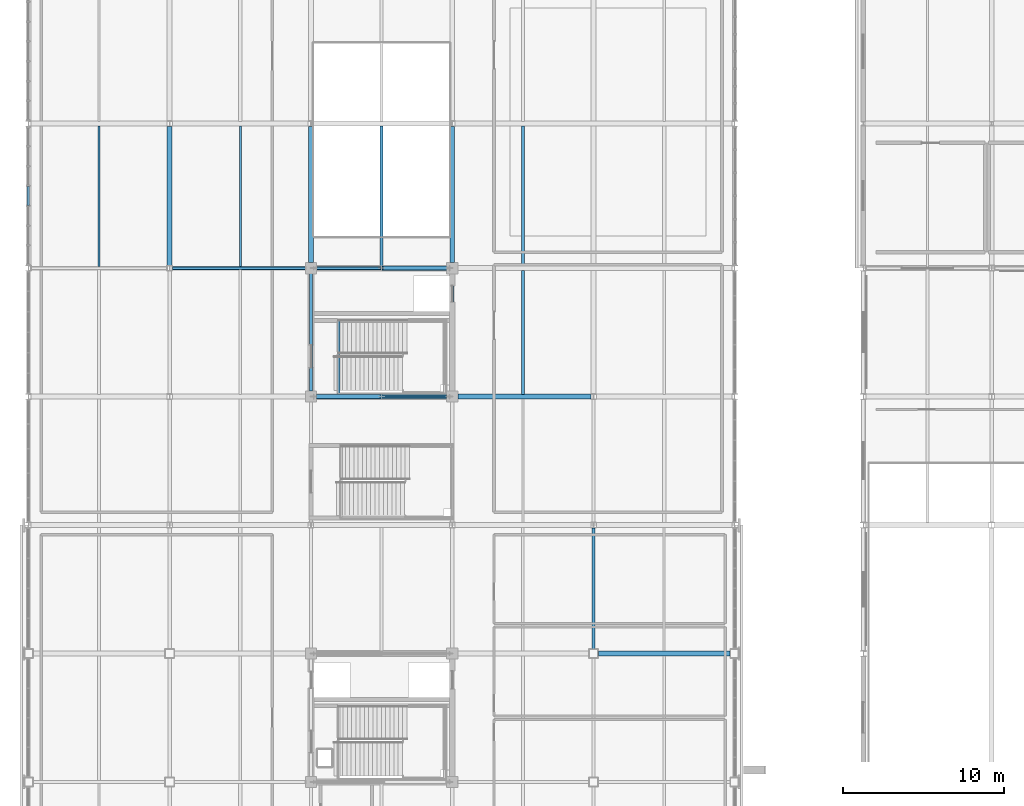
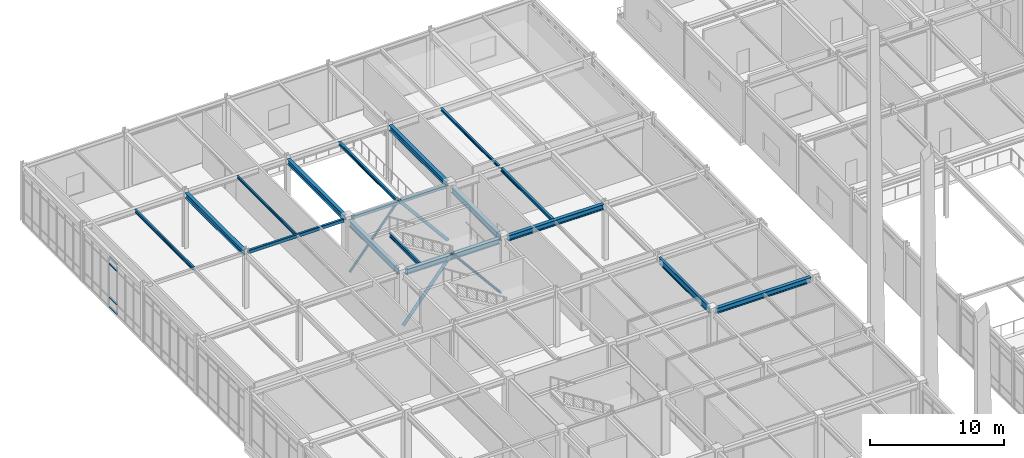
# One storey, part 64 of 184: 17 beams, 8 members, 1 element without a shape of its own.
"""IFC4 building model written with IfcOpenShell, lengths in metres."""

import ifcopenshell
import ifcopenshell.guid

model = None  # the IFC model being written
_history = None  # IfcOwnerHistory: only IFC2X3 demands one
_inside = {}  # id of a spatial element -> (the spatial element, [elements in it])
_under = {}  # id of a project, library or spatial element -> (it, [spatial elements below it])
_declared = {}  # id of a project -> (the project, [libraries it declares])
_typed = {}  # id of a type object -> (the type object, [elements of that type])
_made_of = {}  # id of a material, layer set ... -> (it, [elements and type objects made of it])


def new_model(schema):
    """Start an empty IFC model of exactly this schema.

    Asked for "IFC4X3", IfcOpenShell would pick the latest addendum, in which some entities
    have other attributes; the version numbers below select the first issue.
    IFC2X3 requires an IfcOwnerHistory on every rooted entity: one is made here for all.
    """
    global model, _history
    if schema == "IFC4X3":
        model = ifcopenshell.file(schema_version=(4, 3, 0, 0))
    else:
        model = ifcopenshell.file(schema=schema)
    _inside.clear()
    _under.clear()
    _declared.clear()
    _typed.clear()
    _made_of.clear()
    _history = None
    if model.schema == "IFC2X3":
        org = make("IfcOrganization", Name="unknown")
        user = make(
            "IfcPersonAndOrganization",
            ThePerson=make("IfcPerson", FamilyName="unknown"),
            TheOrganization=org,
        )
        app = make(
            "IfcApplication",
            ApplicationDeveloper=org,
            Version="unknown",
            ApplicationFullName="unknown",
            ApplicationIdentifier="unknown",
        )
        _history = make(
            "IfcOwnerHistory",
            OwningUser=user,
            OwningApplication=app,
            ChangeAction="ADDED",
            CreationDate=0,
        )
    return model


def make(cls, **values):
    """One entity of the class cls with the attributes given. An attribute that is None is left unset."""
    return model.create_entity(
        cls, **{name: value for name, value in values.items() if value is not None}
    )


def rooted(cls, **values):
    """An entity with a GlobalId (a new one), such as an element, a storey or a relation."""
    return make(cls, GlobalId=ifcopenshell.guid.new(), OwnerHistory=_history, **values)


def si_unit(unit_type, name, prefix=None):
    """IfcSIUnit, for example si_unit("LENGTHUNIT", "METRE", prefix="MILLI")."""
    return make("IfcSIUnit", UnitType=unit_type, Prefix=prefix, Name=name)


def assignment(units):
    """IfcUnitAssignment: the units of a project."""
    return None if units is None else make("IfcUnitAssignment", Units=units)


def point(xyz):
    """IfcCartesianPoint."""
    return None if xyz is None else make("IfcCartesianPoint", Coordinates=xyz)


def direction(xyz):
    """IfcDirection."""
    return None if xyz is None else make("IfcDirection", DirectionRatios=xyz)


def frame(location, z_axis=None, x_axis=None):
    """IfcAxis2Placement3D, a coordinate frame: its origin and axes. An axis left out is left unset."""
    return make(
        "IfcAxis2Placement3D",
        Location=point(location),
        Axis=direction(z_axis),
        RefDirection=direction(x_axis),
    )


def frame_2d(location, x_axis=None):
    """IfcAxis2Placement2D, a coordinate frame in the plane: its origin and x axis."""
    return make(
        "IfcAxis2Placement2D", Location=point(location), RefDirection=direction(x_axis)
    )


def origin():
    """The frame at (0, 0, 0) with its axes left unset."""
    return frame((0.0, 0.0, 0.0))


def origin_2d():
    """The frame at (0, 0) in the plane with its x axis left unset."""
    return frame_2d((0.0, 0.0))


def place(relative_to, where):
    """IfcLocalPlacement: puts the frame where relative to a parent placement (None: the world)."""
    return make(
        "IfcLocalPlacement", PlacementRelTo=relative_to, RelativePlacement=where
    )


def context(
    kind, dimensions, precision=None, world=None, true_north=None, identifier=None
):
    """IfcGeometricRepresentationContext, for example the 3D "Model" context."""
    return make(
        "IfcGeometricRepresentationContext",
        ContextIdentifier=identifier,
        ContextType=kind,
        CoordinateSpaceDimension=dimensions,
        Precision=precision,
        WorldCoordinateSystem=world,
        TrueNorth=true_north,
    )


def subcontext(parent, identifier, kind, view, scale=None):
    """IfcGeometricRepresentationSubContext, for example "Body" below "Model"."""
    return make(
        "IfcGeometricRepresentationSubContext",
        ContextIdentifier=identifier,
        ContextType=kind,
        ParentContext=parent,
        TargetScale=scale,
        TargetView=view,
    )


def project(units=None, contexts=None):
    """IfcProject with its units and contexts."""
    return rooted(
        "IfcProject",
        Name="project",
        RepresentationContexts=contexts,
        UnitsInContext=assignment(units),
    )


def spatial(cls, under=None, at=None, **own):
    """A site, building, storey or space (cls), placed at a placement, below another one or the project."""
    s = rooted(cls, ObjectPlacement=at, **own)
    if under is not None:
        _under.setdefault(under.id(), (under, []))[1].append(s)
    return s


def profile(cls, at=None, kind="AREA", **sizes):
    """A parametric profile (cls). Its sizes go by their IFC names, for example OverallWidth=200.0."""
    return make(cls, ProfileType=kind, Position=at, **sizes)


def rectangle(**sizes):
    """IfcRectangleProfileDef."""
    return profile("IfcRectangleProfileDef", **sizes)


def hollow_rectangle(**sizes):
    """IfcRectangleHollowProfileDef."""
    return profile("IfcRectangleHollowProfileDef", **sizes)


def hollow_circle(**sizes):
    """IfcCircleHollowProfileDef."""
    return profile("IfcCircleHollowProfileDef", **sizes)


def i_section(**sizes):
    """IfcIShapeProfileDef."""
    return profile("IfcIShapeProfileDef", **sizes)


def extrude(swept, where, along, depth):
    """IfcExtrudedAreaSolid: the profile swept, set in the frame where, extruded along a direction by depth."""
    return make(
        "IfcExtrudedAreaSolid",
        SweptArea=swept,
        Position=where,
        ExtrudedDirection=direction(along),
        Depth=depth,
    )


def shape(context_of_items, identifier, shape_type, items):
    """IfcShapeRepresentation: the items that make up one representation, for example the "Body"."""
    return make(
        "IfcShapeRepresentation",
        ContextOfItems=context_of_items,
        RepresentationIdentifier=identifier,
        RepresentationType=shape_type,
        Items=items,
    )


def material(Name=None, Category=None):
    """IfcMaterial."""
    return make("IfcMaterial", Name=Name, Category=Category)


def material_profile(
    of_material, cross_section, Name=None, Category=None, Priority=None
):
    """IfcMaterialProfile: a cross section and its material."""
    return make(
        "IfcMaterialProfile",
        Name=Name,
        Material=of_material,
        Profile=cross_section,
        Priority=Priority,
        Category=Category,
    )


def profile_set(profiles, Name=None, composite=None):
    """IfcMaterialProfileSet."""
    return make(
        "IfcMaterialProfileSet",
        Name=Name,
        MaterialProfiles=profiles,
        CompositeProfile=composite,
    )


def made_of(thing, what):
    """Note that an element or type object is made of a material, layer set ...; save() writes the relation."""
    if what is not None:
        _made_of.setdefault(what.id(), (what, []))[1].append(thing)
    return thing


def type_object(cls, material=None, **own):
    """A type object (cls), such as IfcWallType, which elements share."""
    return made_of(rooted(cls, **own), material)


def element(
    cls,
    number,
    at=None,
    inside=None,
    cuts=None,
    type_object=None,
    material=None,
    context=None,
    identifier="Body",
    shape_type=None,
    held_by="IfcProductDefinitionShape",
    body=None,
    shapes=None,
    **own,
):
    """One element of the class cls, such as IfcWall. Its Tag is "e" and its number.

    at: its placement. inside: the storey or other place that contains it. cuts: it is an
    opening in that element (IfcRelVoidsElement). A single representation is given by context,
    identifier, shape_type and body (its items); several are given by shapes. held_by: the class
    of the entity that holds the representations. save() writes the other relations.
    """
    e = rooted(cls, Tag="e%d" % number, ObjectPlacement=at, **own)
    if body is not None:
        shapes = [shape(context, identifier, shape_type, body)]
    if shapes is not None:
        e.Representation = make(held_by, Representations=shapes)
    if inside is not None:
        _inside.setdefault(inside.id(), (inside, []))[1].append(e)
    if cuts is not None:
        rooted(
            "IfcRelVoidsElement", RelatingBuildingElement=cuts, RelatedOpeningElement=e
        )
    if type_object is not None:
        _typed.setdefault(type_object.id(), (type_object, []))[1].append(e)
    return made_of(e, material)


def aggregate(whole, parts):
    """IfcRelAggregates: a whole, such as a stair, and the parts it consists of."""
    return rooted("IfcRelAggregates", RelatingObject=whole, RelatedObjects=parts)


def save(model, path):
    """Write the relations noted so far, then the file.

    IfcRelAggregates (storeys below a building ...), IfcRelContainedInSpatialStructure (elements
    in a storey), IfcRelDefinesByType, IfcRelAssociatesMaterial and IfcRelDeclares: one each for
    every whole, place, type object, material and project.
    """
    for whole, parts in _under.values():
        aggregate(whole, parts)
    for where, things in _inside.values():
        rooted(
            "IfcRelContainedInSpatialStructure",
            RelatedElements=things,
            RelatingStructure=where,
        )
    for kind, things in _typed.values():
        rooted("IfcRelDefinesByType", RelatedObjects=things, RelatingType=kind)
    for what, things in _made_of.values():
        rooted("IfcRelAssociatesMaterial", RelatedObjects=things, RelatingMaterial=what)
    for by, libraries in _declared.values():
        rooted("IfcRelDeclares", RelatingContext=by, RelatedDefinitions=libraries)
    model.write(path)


model = new_model("IFC4")

# Units and contexts
model_context = context("Model", 3, precision=1e-05, world=origin(), true_north=direction((0.0, 1.0)))
body_context = subcontext(model_context, "Body", "Model", "MODEL_VIEW")
ifc_project = project(units=[si_unit("LENGTHUNIT", "METRE"), si_unit("AREAUNIT", "SQUARE_METRE"), si_unit("VOLUMEUNIT", "CUBIC_METRE"), si_unit("PLANEANGLEUNIT", "RADIAN"), si_unit("MASSUNIT", "GRAM", prefix="KILO")], contexts=[model_context])

# Site, building, storey
site_placement = place(None, origin())
site = spatial("IfcSite", under=ifc_project, at=site_placement, CompositionType="ELEMENT")
building_placement = place(site_placement, origin())
building = spatial("IfcBuilding", under=site, at=building_placement, Name="Zhaolan Boulevard Law Courts", CompositionType="ELEMENT")
storey_placement = place(building_placement, frame((0.0, 0.0, 5.39990234375)))
storey = spatial("IfcBuildingStorey", under=building, at=storey_placement, Name="L01", CompositionType="ELEMENT", Elevation=5.39990234375)

# Members
ifc_material_1 = material(Name="Structural steel Q355B", Category="steel")
ifc_material_profile_1 = material_profile(ifc_material_1, hollow_circle(Radius=0.109619140625, WallThickness=0.008056640625, at=origin_2d()), Name="CHS219x8")
ifc_profile_set_1 = profile_set([ifc_material_profile_1], Name="Structural steel Q355B")
member_type_1 = type_object("IfcMemberType", Name="BRACE CHS219", PredefinedType="BRACE", material=ifc_profile_set_1)
member_1_placement = place(storey_placement, frame((26.219970703125, 86.0, 0.030029296875), z_axis=(-0.638239277889, 0.0, 0.769838050605), x_axis=(0.0, -1.0, 0.0)))
element("IfcMember", 1, at=member_1_placement, inside=storey, type_object=member_type_1, Name="Core Brace BR-L1-L01-S2", PredefinedType="BRACE", context=body_context, shape_type="SweptSolid", body=[
    extrude(hollow_circle(Radius=0.109619140625, WallThickness=0.008056640625, at=origin_2d()), origin(), (0.0, 0.0, 1.0), 6.61181640625),
])
ifc_material_2 = material(Name="Structural steel Q355B", Category="steel")
ifc_material_profile_2 = material_profile(ifc_material_2, hollow_circle(Radius=0.136474609375, WallThickness=0.010009765625, at=origin_2d()), Name="CHS273x10")
ifc_profile_set_2 = profile_set([ifc_material_profile_2], Name="Structural steel Q355B")
member_type_2 = type_object("IfcMemberType", Name="BRACE CHS273", PredefinedType="BRACE", material=ifc_profile_set_2)
for number, where, z_axis, x_axis, name in (
    (2, (26.219970703125, 94.0, 0.030029296875), (-0.638239277889, 0.0, 0.769838050605), (0.0, -1.0, 0.0), "Core Brace BR-L1-L01-N2"),
    (3, (17.780029296875, 86.0, 0.030029296875), (0.638239277889, 0.0, 0.769838050605), (0.0, 1.0, 0.0), "Core Brace BR-L1-L01-S1"),
):
    element("IfcMember", number, at=place(storey_placement, frame(where, z_axis=z_axis, x_axis=x_axis)), inside=storey, type_object=member_type_2, Name=name, PredefinedType="BRACE", context=body_context, shape_type="SweptSolid", body=[
        extrude(hollow_circle(Radius=0.136474609375, WallThickness=0.010009765625, at=origin_2d()), origin(), (0.0, 0.0, 1.0), 6.61181640625),
    ])
ifc_material_3 = material(Name="Structural steel Q355B", Category="steel")
ifc_material_profile_3 = material_profile(ifc_material_3, hollow_rectangle(XDim=0.159912109375, YDim=0.159912109375, WallThickness=0.008056640625, InnerFilletRadius=0.008056640625, OuterFilletRadius=0.01611328125, at=origin_2d()), Name="HSS160x160x8")
ifc_profile_set_3 = profile_set([ifc_material_profile_3], Name="Structural steel Q355B")
member_type_3 = type_object("IfcMemberType", Name="BRACE HSS160", PredefinedType="BRACE", material=ifc_profile_set_3)
member_2_placement = place(storey_placement, frame((17.780029296875, 94.0, 0.030029296875), z_axis=(0.638239277889, 0.0, 0.769838050605), x_axis=(0.0, 1.0, 0.0)))
element("IfcMember", 4, at=member_2_placement, inside=storey, type_object=member_type_3, Name="Core Brace BR-L1-L01-N1", PredefinedType="BRACE", context=body_context, shape_type="SweptSolid", body=[
    extrude(hollow_rectangle(XDim=0.159912109375, YDim=0.159912109375, WallThickness=0.008056640625, InnerFilletRadius=0.008056640625, OuterFilletRadius=0.01611328125, at=origin_2d()), origin(), (0.0, 0.0, 1.0), 6.61181640625),
])

# Curtain wall, members
ifc_material_4 = material(Name="Thermally broken aluminium and low-E glazing", Category="aluminium")
curtain_wall_type = type_object("IfcCurtainWallType", Name="CURTAIN WALL M13", PredefinedType="USERDEFINED", material=ifc_material_4)
curtain_wall_placement = place(storey_placement, origin())
curtain_wall = element("IfcCurtainWall", 5, at=curtain_wall_placement, inside=storey, type_object=curtain_wall_type, Name="Curtain Wall CW-L01-109", ObjectType="CURTAIN WALL", PredefinedType="USERDEFINED")
ifc_material_5 = material(Name="Fluorocarbon-coated aluminium 6063-T6", Category="aluminium")
ifc_material_profile_4 = material_profile(ifc_material_5, rectangle(XDim=0.139892578125, YDim=0.06494140625, at=origin_2d()), Name="AL65x140")
ifc_profile_set_4 = profile_set([ifc_material_profile_4], Name="Fluorocarbon-coated aluminium 6063-T6")
member_type_4 = type_object("IfcMemberType", Name="CWTRANSOM 65X140", PredefinedType="USERDEFINED", material=ifc_profile_set_4)
member_3_placement = place(storey_placement, frame((0.0, 99.0849609375, 0.03271484375), z_axis=(0.0, -1.0, 0.0), x_axis=(1.0, 0.0, 0.0)))
member_3 = element("IfcMember", 6, at=member_3_placement, type_object=member_type_4, Name="CW-L01-109 transom 4.1", ObjectType="TRANSOM", PredefinedType="USERDEFINED", context=body_context, shape_type="SweptSolid", body=[
    extrude(rectangle(XDim=0.139892578125, YDim=0.06494140625, at=origin_2d()), origin(), (0.0, 0.0, 1.0), 1.169921875),
])
member_4_placement = place(storey_placement, frame((0.0, 99.0849609375, 0.900146484375), z_axis=(0.0, -1.0, 0.0), x_axis=(1.0, 0.0, 0.0)))
member_4 = element("IfcMember", 7, at=member_4_placement, type_object=member_type_4, Name="CW-L01-109 transom 4.2", ObjectType="TRANSOM", PredefinedType="USERDEFINED", context=body_context, shape_type="SweptSolid", body=[
    extrude(rectangle(XDim=0.139892578125, YDim=0.06494140625, at=origin_2d()), origin(), (0.0, 0.0, 1.0), 1.169921875),
])
member_5_placement = place(storey_placement, frame((0.0, 99.0849609375, 3.97119140625), z_axis=(0.0, -1.0, 0.0), x_axis=(1.0, 0.0, 0.0)))
member_5 = element("IfcMember", 8, at=member_5_placement, type_object=member_type_4, Name="CW-L01-109 transom 4.3", ObjectType="TRANSOM", PredefinedType="USERDEFINED", context=body_context, shape_type="SweptSolid", body=[
    extrude(rectangle(XDim=0.139892578125, YDim=0.06494140625, at=origin_2d()), origin(), (0.0, 0.0, 1.0), 1.169921875),
])
member_6_placement = place(storey_placement, frame((0.0, 99.0849609375, 4.588623046875), z_axis=(0.0, -1.0, 0.0), x_axis=(1.0, 0.0, 0.0)))
member_6 = element("IfcMember", 9, at=member_6_placement, type_object=member_type_4, Name="CW-L01-109 transom 4.4", ObjectType="TRANSOM", PredefinedType="USERDEFINED", context=body_context, shape_type="SweptSolid", body=[
    extrude(rectangle(XDim=0.139892578125, YDim=0.06494140625, at=origin_2d()), origin(), (0.0, 0.0, 1.0), 1.169921875),
])
aggregate(curtain_wall, [member_3, member_4, member_5, member_6])

# Beams
ifc_material_6 = material(Name="Structural steel Q355B", Category="steel")
ifc_material_profile_5 = material_profile(ifc_material_6, i_section(OverallWidth=0.300048828125, OverallDepth=0.48193359375, WebThickness=0.010986328125, FlangeThickness=0.014892578125, FilletRadius=0.02197265625, at=origin_2d()), Name="HM482x300")
ifc_profile_set_5 = profile_set([ifc_material_profile_5], Name="Structural steel Q355B")
beam_type_1 = type_object("IfcBeamType", Name="GIRDER HM488", PredefinedType="BEAM", material=ifc_profile_set_5)
beam_1_placement = place(storey_placement, frame((8.800048828125, 94.1708984375, 4.877197265625), z_axis=(0.0, 1.0, 0.0), x_axis=(-1.0, 0.0, 0.0)))
element("IfcBeam", 10, at=beam_1_placement, inside=storey, type_object=beam_type_1, Name="Beam BY-L02-2-N-P", PredefinedType="BEAM", context=body_context, shape_type="SweptSolid", body=[
    extrude(i_section(OverallWidth=0.300048828125, OverallDepth=0.48193359375, WebThickness=0.010986328125, FlangeThickness=0.014892578125, FilletRadius=0.02197265625, at=origin_2d()), origin(), (0.0, 0.0, 1.0), 8.658203125),
])
for number, where, z_axis, x_axis, name in (
    (11, (17.60009765625, 94.345947265625, 4.877197265625), (0.0, 1.0, 0.0), (-1.0, 0.0, 0.0), "Beam BY-L02-3-N-P"),
    (12, (26.39990234375, 94.345947265625, 4.877197265625), (0.0, 1.0, 0.0), (-1.0, 0.0, 0.0), "Beam BY-L02-4-N-P"),
):
    element("IfcBeam", number, at=place(storey_placement, frame(where, z_axis=z_axis, x_axis=x_axis)), inside=storey, type_object=beam_type_1, Name=name, PredefinedType="BEAM", context=body_context, shape_type="SweptSolid", body=[
        extrude(i_section(OverallWidth=0.300048828125, OverallDepth=0.48193359375, WebThickness=0.010986328125, FlangeThickness=0.014892578125, FilletRadius=0.02197265625, at=origin_2d()), origin(), (0.0, 0.0, 1.0), 8.483154296875),
    ])
ifc_material_7 = material(Name="Structural steel Q355B", Category="steel")
ifc_material_profile_6 = material_profile(ifc_material_7, i_section(OverallWidth=0.300048828125, OverallDepth=0.488037109375, WebThickness=0.010986328125, FlangeThickness=0.01806640625, FilletRadius=0.02197265625, at=origin_2d()), Name="HM488x300")
ifc_profile_set_6 = profile_set([ifc_material_profile_6], Name="Structural steel Q355B")
beam_type_2 = type_object("IfcBeamType", Name="GIRDER HM500", PredefinedType="BEAM", material=ifc_profile_set_6)
beam_2_placement = place(storey_placement, frame((35.49609375, 70.0, 4.89404296875), z_axis=(1.0, 0.0, 0.0), x_axis=(0.0, 1.0, 0.0)))
element("IfcBeam", 13, at=beam_2_placement, inside=storey, type_object=beam_type_2, Name="Beam BX-L02-5-6-K", PredefinedType="BEAM", context=body_context, shape_type="SweptSolid", body=[
    extrude(i_section(OverallWidth=0.300048828125, OverallDepth=0.488037109375, WebThickness=0.010986328125, FlangeThickness=0.01806640625, FilletRadius=0.02197265625, at=origin_2d()), origin(), (0.0, 0.0, 1.0), 8.2080078125),
])
beam_3_placement = place(storey_placement, frame((17.946044921875, 86.0, 4.8740234375), z_axis=(1.0, 0.0, 0.0), x_axis=(0.0, 1.0, 0.0)))
element("IfcBeam", 14, at=beam_3_placement, inside=storey, type_object=beam_type_2, Name="Beam BX-L02-3-4-M", PredefinedType="BEAM", context=body_context, shape_type="SweptSolid", body=[
    extrude(i_section(OverallWidth=0.300048828125, OverallDepth=0.488037109375, WebThickness=0.010986328125, FlangeThickness=0.01806640625, FilletRadius=0.02197265625, at=origin_2d()), origin(), (0.0, 0.0, 1.0), 8.10791015625),
])
beam_4_placement = place(storey_placement, frame((26.74609375, 86.0, 4.8740234375), z_axis=(1.0, 0.0, 0.0), x_axis=(0.0, 1.0, 0.0)))
element("IfcBeam", 15, at=beam_4_placement, inside=storey, type_object=beam_type_2, Name="Beam BX-L02-4-5-M", PredefinedType="BEAM", context=body_context, shape_type="SweptSolid", body=[
    extrude(i_section(OverallWidth=0.300048828125, OverallDepth=0.488037109375, WebThickness=0.010986328125, FlangeThickness=0.01806640625, FilletRadius=0.02197265625, at=origin_2d()), origin(), (0.0, 0.0, 1.0), 8.282958984375),
])
ifc_material_8 = material(Name="Structural steel Q355B", Category="steel")
ifc_material_profile_7 = material_profile(ifc_material_8, i_section(OverallWidth=0.199951171875, OverallDepth=0.60009765625, WebThickness=0.010986328125, FlangeThickness=0.01708984375, FilletRadius=0.02001953125, at=origin_2d()), Name="HN600x200")
ifc_profile_set_7 = profile_set([ifc_material_profile_7], Name="Structural steel Q355B")
beam_type_3 = type_object("IfcBeamType", Name="GIRDER HN600", PredefinedType="BEAM", material=ifc_profile_set_7)
for number, where, z_axis, x_axis, name in (
    (16, (17.60009765625, 86.345947265625, 4.818115234375), (0.0, 1.0, 0.0), (-1.0, 0.0, 0.0), "Beam BY-L02-3-M-N"),
    (17, (26.39990234375, 86.345947265625, 4.818115234375), (0.0, 1.0, 0.0), (-1.0, 0.0, 0.0), "Beam BY-L02-4-M-N"),
):
    element("IfcBeam", number, at=place(storey_placement, frame(where, z_axis=z_axis, x_axis=x_axis)), inside=storey, type_object=beam_type_3, Name=name, PredefinedType="BEAM", context=body_context, shape_type="SweptSolid", body=[
        extrude(i_section(OverallWidth=0.199951171875, OverallDepth=0.60009765625, WebThickness=0.010986328125, FlangeThickness=0.01708984375, FilletRadius=0.02001953125, at=origin_2d()), origin(), (0.0, 0.0, 1.0), 7.30810546875),
    ])
beam_5_placement = place(storey_placement, frame((35.199951171875, 70.2958984375, 4.838134765625), z_axis=(0.0, 1.0, 0.0), x_axis=(-1.0, 0.0, 0.0)))
element("IfcBeam", 18, at=beam_5_placement, inside=storey, type_object=beam_type_3, Name="Beam BY-L02-5-K-L", PredefinedType="BEAM", context=body_context, shape_type="SweptSolid", body=[
    extrude(i_section(OverallWidth=0.199951171875, OverallDepth=0.60009765625, WebThickness=0.010986328125, FlangeThickness=0.01708984375, FilletRadius=0.02001953125, at=origin_2d()), origin(), (0.0, 0.0, 1.0), 7.533203125),
])
ifc_material_9 = material(Name="Structural steel Q355B", Category="steel")
ifc_material_profile_8 = material_profile(ifc_material_9, i_section(OverallWidth=0.175048828125, OverallDepth=0.243896484375, WebThickness=0.007080078125, FlangeThickness=0.010986328125, FilletRadius=0.012939453125, at=origin_2d()), Name="HM244x175")
ifc_profile_set_8 = profile_set([ifc_material_profile_8], Name="Structural steel Q355B")
beam_type_4 = type_object("IfcBeamType", Name="JOIST HM244", PredefinedType="JOIST", material=ifc_profile_set_8)
beam_6_placement = place(storey_placement, frame((30.800048828125, 94.14599609375, 4.99609375), z_axis=(0.0, 1.0, 0.0), x_axis=(-1.0, 0.0, 0.0)))
element("IfcBeam", 19, at=beam_6_placement, inside=storey, type_object=beam_type_4, Name="Composite Joist J-L02-4N", PredefinedType="JOIST", context=body_context, shape_type="SweptSolid", body=[
    extrude(i_section(OverallWidth=0.175048828125, OverallDepth=0.243896484375, WebThickness=0.007080078125, FlangeThickness=0.010986328125, FilletRadius=0.012939453125, at=origin_2d()), origin(), (0.0, 0.0, 1.0), 8.7080078125),
])
ifc_material_10 = material(Name="Structural steel Q355B", Category="steel")
ifc_material_profile_9 = material_profile(ifc_material_10, i_section(OverallWidth=0.199951171875, OverallDepth=0.2939453125, WebThickness=0.008056640625, FlangeThickness=0.011962890625, FilletRadius=0.01611328125, at=origin_2d()), Name="HM294x200")
ifc_profile_set_9 = profile_set([ifc_material_profile_9], Name="Structural steel Q355B")
beam_type_5 = type_object("IfcBeamType", Name="JOIST HM294", PredefinedType="JOIST", material=ifc_profile_set_9)
beam_7_placement = place(storey_placement, frame((22.0, 94.095947265625, 4.97119140625), z_axis=(0.0, 1.0, 0.0), x_axis=(-1.0, 0.0, 0.0)))
element("IfcBeam", 20, at=beam_7_placement, inside=storey, type_object=beam_type_5, Name="Composite Joist J-L02-3N", PredefinedType="JOIST", context=body_context, shape_type="SweptSolid", body=[
    extrude(i_section(OverallWidth=0.199951171875, OverallDepth=0.2939453125, WebThickness=0.008056640625, FlangeThickness=0.011962890625, FilletRadius=0.01611328125, at=origin_2d()), origin(), (0.0, 0.0, 1.0), 8.758056640625),
])
beam_8_placement = place(storey_placement, frame((30.800048828125, 86.14599609375, 4.97119140625), z_axis=(0.0, 1.0, 0.0), x_axis=(-1.0, 0.0, 0.0)))
element("IfcBeam", 21, at=beam_8_placement, inside=storey, type_object=beam_type_5, Name="Composite Joist J-L02-4M", PredefinedType="JOIST", context=body_context, shape_type="SweptSolid", body=[
    extrude(i_section(OverallWidth=0.199951171875, OverallDepth=0.2939453125, WebThickness=0.008056640625, FlangeThickness=0.011962890625, FilletRadius=0.01611328125, at=origin_2d()), origin(), (0.0, 0.0, 1.0), 7.7080078125),
])
ifc_material_11 = material(Name="Structural steel Q355B", Category="steel")
ifc_material_profile_10 = material_profile(ifc_material_11, i_section(OverallWidth=0.125, OverallDepth=0.25, WebThickness=0.006103515625, FlangeThickness=0.009033203125, FilletRadius=0.010009765625, at=origin_2d()), Name="HN250x125")
ifc_profile_set_10 = profile_set([ifc_material_profile_10], Name="Structural steel Q355B")
beam_type_6 = type_object("IfcBeamType", Name="JOIST HN250", PredefinedType="JOIST", material=ifc_profile_set_10)
beam_9_placement = place(storey_placement, frame((13.199951171875, 94.095947265625, 4.9931640625), z_axis=(0.0, 1.0, 0.0), x_axis=(-1.0, 0.0, 0.0)))
element("IfcBeam", 22, at=beam_9_placement, inside=storey, type_object=beam_type_6, Name="Composite Joist J-L02-2N", PredefinedType="JOIST", context=body_context, shape_type="SweptSolid", body=[
    extrude(i_section(OverallWidth=0.125, OverallDepth=0.25, WebThickness=0.006103515625, FlangeThickness=0.009033203125, FilletRadius=0.010009765625, at=origin_2d()), origin(), (0.0, 0.0, 1.0), 8.758056640625),
])
ifc_material_12 = material(Name="Structural steel Q355B", Category="steel")
ifc_material_profile_11 = material_profile(ifc_material_12, i_section(OverallWidth=0.14990234375, OverallDepth=0.300048828125, WebThickness=0.006591796875, FlangeThickness=0.009033203125, FilletRadius=0.010986328125, at=origin_2d()), Name="HN300x150")
ifc_profile_set_11 = profile_set([ifc_material_profile_11], Name="Structural steel Q355B")
beam_type_7 = type_object("IfcBeamType", Name="JOIST HN300", PredefinedType="JOIST", material=ifc_profile_set_11)
beam_10_placement = place(storey_placement, frame((4.39990234375, 94.095947265625, 4.968017578125), z_axis=(0.0, 1.0, 0.0), x_axis=(-1.0, 0.0, 0.0)))
element("IfcBeam", 23, at=beam_10_placement, inside=storey, type_object=beam_type_7, Name="Composite Joist J-L02-1N", PredefinedType="JOIST", context=body_context, shape_type="SweptSolid", body=[
    extrude(i_section(OverallWidth=0.14990234375, OverallDepth=0.300048828125, WebThickness=0.006591796875, FlangeThickness=0.009033203125, FilletRadius=0.010986328125, at=origin_2d()), origin(), (0.0, 0.0, 1.0), 8.758056640625),
])
ifc_material_13 = material(Name="Structural steel Q355B", Category="steel")
ifc_material_profile_12 = material_profile(ifc_material_13, hollow_rectangle(XDim=0.199951171875, YDim=0.300048828125, WallThickness=0.011962890625, InnerFilletRadius=0.011962890625, OuterFilletRadius=0.02392578125, at=origin_2d()), Name="HSS300x200x12")
ifc_profile_set_12 = profile_set([ifc_material_profile_12], Name="Structural steel Q355B")
beam_type_8 = type_object("IfcBeamType", Name="SPANDREL HSS300", PredefinedType="SPANDREL", material=ifc_profile_set_12)
beam_11_placement = place(storey_placement, frame((8.970947265625, 94.0, 4.968017578125), z_axis=(1.0, 0.0, 0.0), x_axis=(0.0, 1.0, 0.0)))
element("IfcBeam", 24, at=beam_11_placement, inside=storey, type_object=beam_type_8, Name="Beam BX-L02-2-3-N", PredefinedType="SPANDREL", context=body_context, shape_type="SweptSolid", body=[
    extrude(hollow_rectangle(XDim=0.199951171875, YDim=0.300048828125, WallThickness=0.011962890625, InnerFilletRadius=0.011962890625, OuterFilletRadius=0.02392578125, at=origin_2d()), origin(), (0.0, 0.0, 1.0), 8.282958984375),
])
beam_12_placement = place(storey_placement, frame((17.946044921875, 94.0, 4.968017578125), z_axis=(1.0, 0.0, 0.0), x_axis=(0.0, 1.0, 0.0)))
element("IfcBeam", 25, at=beam_12_placement, inside=storey, type_object=beam_type_8, Name="Beam BX-L02-3-4-N", PredefinedType="SPANDREL", context=body_context, shape_type="SweptSolid", body=[
    extrude(hollow_rectangle(XDim=0.199951171875, YDim=0.300048828125, WallThickness=0.011962890625, InnerFilletRadius=0.011962890625, OuterFilletRadius=0.02392578125, at=origin_2d()), origin(), (0.0, 0.0, 1.0), 8.10791015625),
])
ifc_material_14 = material(Name="Structural steel Q355B", Category="steel")
ifc_material_profile_13 = material_profile(ifc_material_14, i_section(OverallWidth=0.175048828125, OverallDepth=0.35009765625, WebThickness=0.007080078125, FlangeThickness=0.010986328125, FilletRadius=0.012939453125, at=origin_2d()), Name="HN350x175")
ifc_profile_set_13 = profile_set([ifc_material_profile_13], Name="Structural steel Q355B")
beam_type_9 = type_object("IfcBeamType", Name="STAIR TRIMMER HN350", PredefinedType="BEAM", material=ifc_profile_set_13)
beam_13_placement = place(storey_placement, frame((19.3349609375, 86.1650390625, 4.93505859375), z_axis=(0.0, 1.0, 0.0), x_axis=(-1.0, 0.0, 0.0)))
element("IfcBeam", 26, at=beam_13_placement, inside=storey, type_object=beam_type_9, Name="Stair Landing Trimmer Beam STB-ST10-L02", PredefinedType="BEAM", context=body_context, shape_type="SweptSolid", body=[
    extrude(i_section(OverallWidth=0.175048828125, OverallDepth=0.35009765625, WebThickness=0.007080078125, FlangeThickness=0.010986328125, FilletRadius=0.012939453125, at=origin_2d()), origin(), (0.0, 0.0, 1.0), 4.544921875),
])

save(model, "model.ifc")
